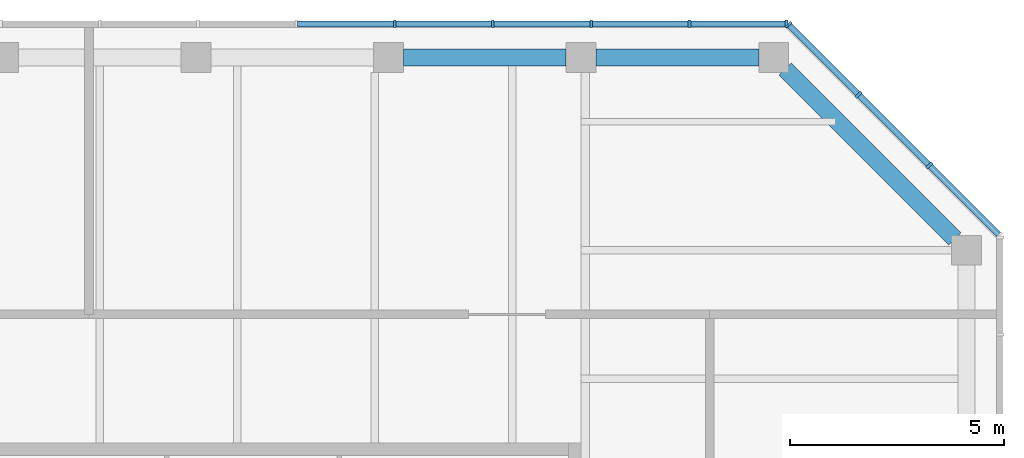
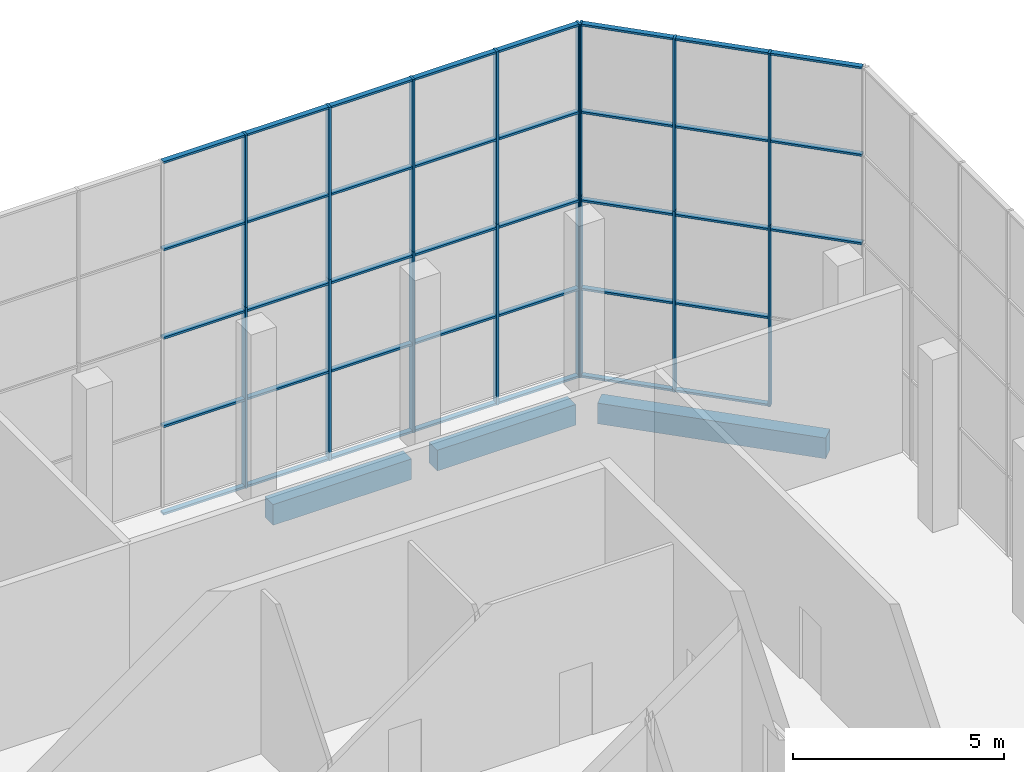
# One storey, part 9 of 19: 54 members, 3 beams, 2 elements without a shape of their own.
"""IFC4 building model written with IfcOpenShell, lengths in metres."""

import ifcopenshell
import ifcopenshell.guid

model = None  # the IFC model being written
_history = None  # IfcOwnerHistory: only IFC2X3 demands one
_inside = {}  # id of a spatial element -> (the spatial element, [elements in it])
_under = {}  # id of a project, library or spatial element -> (it, [spatial elements below it])
_declared = {}  # id of a project -> (the project, [libraries it declares])
_typed = {}  # id of a type object -> (the type object, [elements of that type])
_made_of = {}  # id of a material, layer set ... -> (it, [elements and type objects made of it])


def new_model(schema):
    """Start an empty IFC model of exactly this schema.

    Asked for "IFC4X3", IfcOpenShell would pick the latest addendum, in which some entities
    have other attributes; the version numbers below select the first issue.
    IFC2X3 requires an IfcOwnerHistory on every rooted entity: one is made here for all.
    """
    global model, _history
    if schema == "IFC4X3":
        model = ifcopenshell.file(schema_version=(4, 3, 0, 0))
    else:
        model = ifcopenshell.file(schema=schema)
    _inside.clear()
    _under.clear()
    _declared.clear()
    _typed.clear()
    _made_of.clear()
    _history = None
    if model.schema == "IFC2X3":
        org = make("IfcOrganization", Name="unknown")
        user = make(
            "IfcPersonAndOrganization",
            ThePerson=make("IfcPerson", FamilyName="unknown"),
            TheOrganization=org,
        )
        app = make(
            "IfcApplication",
            ApplicationDeveloper=org,
            Version="unknown",
            ApplicationFullName="unknown",
            ApplicationIdentifier="unknown",
        )
        _history = make(
            "IfcOwnerHistory",
            OwningUser=user,
            OwningApplication=app,
            ChangeAction="ADDED",
            CreationDate=0,
        )
    return model


def make(cls, **values):
    """One entity of the class cls with the attributes given. An attribute that is None is left unset."""
    return model.create_entity(
        cls, **{name: value for name, value in values.items() if value is not None}
    )


def rooted(cls, **values):
    """An entity with a GlobalId (a new one), such as an element, a storey or a relation."""
    return make(cls, GlobalId=ifcopenshell.guid.new(), OwnerHistory=_history, **values)


def si_unit(unit_type, name, prefix=None):
    """IfcSIUnit, for example si_unit("LENGTHUNIT", "METRE", prefix="MILLI")."""
    return make("IfcSIUnit", UnitType=unit_type, Prefix=prefix, Name=name)


def assignment(units):
    """IfcUnitAssignment: the units of a project."""
    return None if units is None else make("IfcUnitAssignment", Units=units)


def point(xyz):
    """IfcCartesianPoint."""
    return None if xyz is None else make("IfcCartesianPoint", Coordinates=xyz)


def direction(xyz):
    """IfcDirection."""
    return None if xyz is None else make("IfcDirection", DirectionRatios=xyz)


def frame(location, z_axis=None, x_axis=None):
    """IfcAxis2Placement3D, a coordinate frame: its origin and axes. An axis left out is left unset."""
    return make(
        "IfcAxis2Placement3D",
        Location=point(location),
        Axis=direction(z_axis),
        RefDirection=direction(x_axis),
    )


def frame_2d(location, x_axis=None):
    """IfcAxis2Placement2D, a coordinate frame in the plane: its origin and x axis."""
    return make(
        "IfcAxis2Placement2D", Location=point(location), RefDirection=direction(x_axis)
    )


def origin():
    """The frame at (0, 0, 0) with its axes left unset."""
    return frame((0.0, 0.0, 0.0))


def origin_2d():
    """The frame at (0, 0) in the plane with its x axis left unset."""
    return frame_2d((0.0, 0.0))


def place(relative_to, where):
    """IfcLocalPlacement: puts the frame where relative to a parent placement (None: the world)."""
    return make(
        "IfcLocalPlacement", PlacementRelTo=relative_to, RelativePlacement=where
    )


def context(
    kind, dimensions, precision=None, world=None, true_north=None, identifier=None
):
    """IfcGeometricRepresentationContext, for example the 3D "Model" context."""
    return make(
        "IfcGeometricRepresentationContext",
        ContextIdentifier=identifier,
        ContextType=kind,
        CoordinateSpaceDimension=dimensions,
        Precision=precision,
        WorldCoordinateSystem=world,
        TrueNorth=true_north,
    )


def subcontext(parent, identifier, kind, view, scale=None):
    """IfcGeometricRepresentationSubContext, for example "Body" below "Model"."""
    return make(
        "IfcGeometricRepresentationSubContext",
        ContextIdentifier=identifier,
        ContextType=kind,
        ParentContext=parent,
        TargetScale=scale,
        TargetView=view,
    )


def project(units=None, contexts=None):
    """IfcProject with its units and contexts."""
    return rooted(
        "IfcProject",
        Name="project",
        RepresentationContexts=contexts,
        UnitsInContext=assignment(units),
    )


def spatial(cls, under=None, at=None, **own):
    """A site, building, storey or space (cls), placed at a placement, below another one or the project."""
    s = rooted(cls, ObjectPlacement=at, **own)
    if under is not None:
        _under.setdefault(under.id(), (under, []))[1].append(s)
    return s


def profile(cls, at=None, kind="AREA", **sizes):
    """A parametric profile (cls). Its sizes go by their IFC names, for example OverallWidth=200.0."""
    return make(cls, ProfileType=kind, Position=at, **sizes)


def rectangle(**sizes):
    """IfcRectangleProfileDef."""
    return profile("IfcRectangleProfileDef", **sizes)


def extrude(swept, where, along, depth):
    """IfcExtrudedAreaSolid: the profile swept, set in the frame where, extruded along a direction by depth."""
    return make(
        "IfcExtrudedAreaSolid",
        SweptArea=swept,
        Position=where,
        ExtrudedDirection=direction(along),
        Depth=depth,
    )


def shape(context_of_items, identifier, shape_type, items):
    """IfcShapeRepresentation: the items that make up one representation, for example the "Body"."""
    return make(
        "IfcShapeRepresentation",
        ContextOfItems=context_of_items,
        RepresentationIdentifier=identifier,
        RepresentationType=shape_type,
        Items=items,
    )


def material(Name=None, Category=None):
    """IfcMaterial."""
    return make("IfcMaterial", Name=Name, Category=Category)


def constituent(of_material, Name=None, Category=None, fraction=None):
    """IfcMaterialConstituent: one of the materials an element consists of."""
    return make(
        "IfcMaterialConstituent",
        Name=Name,
        Material=of_material,
        Fraction=fraction,
        Category=Category,
    )


def constituent_set(constituents=None, Name=None):
    """IfcMaterialConstituentSet."""
    return make(
        "IfcMaterialConstituentSet", Name=Name, MaterialConstituents=constituents
    )


def material_profile(
    of_material, cross_section, Name=None, Category=None, Priority=None
):
    """IfcMaterialProfile: a cross section and its material."""
    return make(
        "IfcMaterialProfile",
        Name=Name,
        Material=of_material,
        Profile=cross_section,
        Priority=Priority,
        Category=Category,
    )


def profile_set(profiles, Name=None, composite=None):
    """IfcMaterialProfileSet."""
    return make(
        "IfcMaterialProfileSet",
        Name=Name,
        MaterialProfiles=profiles,
        CompositeProfile=composite,
    )


def made_of(thing, what):
    """Note that an element or type object is made of a material, layer set ...; save() writes the relation."""
    if what is not None:
        _made_of.setdefault(what.id(), (what, []))[1].append(thing)
    return thing


def type_object(cls, material=None, **own):
    """A type object (cls), such as IfcWallType, which elements share."""
    return made_of(rooted(cls, **own), material)


def element(
    cls,
    number,
    at=None,
    inside=None,
    cuts=None,
    type_object=None,
    material=None,
    context=None,
    identifier="Body",
    shape_type=None,
    held_by="IfcProductDefinitionShape",
    body=None,
    shapes=None,
    **own,
):
    """One element of the class cls, such as IfcWall. Its Tag is "e" and its number.

    at: its placement. inside: the storey or other place that contains it. cuts: it is an
    opening in that element (IfcRelVoidsElement). A single representation is given by context,
    identifier, shape_type and body (its items); several are given by shapes. held_by: the class
    of the entity that holds the representations. save() writes the other relations.
    """
    e = rooted(cls, Tag="e%d" % number, ObjectPlacement=at, **own)
    if body is not None:
        shapes = [shape(context, identifier, shape_type, body)]
    if shapes is not None:
        e.Representation = make(held_by, Representations=shapes)
    if inside is not None:
        _inside.setdefault(inside.id(), (inside, []))[1].append(e)
    if cuts is not None:
        rooted(
            "IfcRelVoidsElement", RelatingBuildingElement=cuts, RelatedOpeningElement=e
        )
    if type_object is not None:
        _typed.setdefault(type_object.id(), (type_object, []))[1].append(e)
    return made_of(e, material)


def aggregate(whole, parts):
    """IfcRelAggregates: a whole, such as a stair, and the parts it consists of."""
    return rooted("IfcRelAggregates", RelatingObject=whole, RelatedObjects=parts)


def save(model, path):
    """Write the relations noted so far, then the file.

    IfcRelAggregates (storeys below a building ...), IfcRelContainedInSpatialStructure (elements
    in a storey), IfcRelDefinesByType, IfcRelAssociatesMaterial and IfcRelDeclares: one each for
    every whole, place, type object, material and project.
    """
    for whole, parts in _under.values():
        aggregate(whole, parts)
    for where, things in _inside.values():
        rooted(
            "IfcRelContainedInSpatialStructure",
            RelatedElements=things,
            RelatingStructure=where,
        )
    for kind, things in _typed.values():
        rooted("IfcRelDefinesByType", RelatedObjects=things, RelatingType=kind)
    for what, things in _made_of.values():
        rooted("IfcRelAssociatesMaterial", RelatedObjects=things, RelatingMaterial=what)
    for by, libraries in _declared.values():
        rooted("IfcRelDeclares", RelatingContext=by, RelatedDefinitions=libraries)
    model.write(path)


model = new_model("IFC4")

# Units and contexts
model_context = context("Model", 3, precision=1e-05, world=origin(), true_north=direction((0.0, 1.0)))
body_context = subcontext(model_context, "Body", "Model", "MODEL_VIEW")
ifc_project = project(units=[si_unit("LENGTHUNIT", "METRE"), si_unit("AREAUNIT", "SQUARE_METRE"), si_unit("VOLUMEUNIT", "CUBIC_METRE"), si_unit("PLANEANGLEUNIT", "RADIAN"), si_unit("MASSUNIT", "GRAM", prefix="KILO")], contexts=[model_context])

# Site, building, storey
site_placement = place(None, origin())
site = spatial("IfcSite", under=ifc_project, at=site_placement, CompositionType="ELEMENT")
building_placement = place(site_placement, origin())
building = spatial("IfcBuilding", under=site, at=building_placement, Name="Quoin Convention Tower", CompositionType="ELEMENT")
storey_placement = place(building_placement, frame((0.0, 0.0, 263.699951171875)))
storey = spatial("IfcBuildingStorey", under=building, at=storey_placement, Name="L69", CompositionType="ELEMENT", Elevation=263.699951171875)

# Curtain wall, members
ifc_material_1 = material(Name="Aluminium", Category="aluminium")
ifc_constituent_1 = constituent(ifc_material_1, Name="Frame")
ifc_material_2 = material(Name="Insulated glass", Category="glass")
ifc_constituent_2 = constituent(ifc_material_2, Name="Glazing")
ifc_constituent_set = constituent_set(constituents=[ifc_constituent_1, ifc_constituent_2], Name="Aluminium")
curtain_wall_type = type_object("IfcCurtainWallType", Name="Lantern wall system", PredefinedType="NOTDEFINED", material=ifc_constituent_set)
curtain_wall_1_placement = place(storey_placement, origin())
curtain_wall_1 = element("IfcCurtainWall", 1, at=curtain_wall_1_placement, inside=storey, type_object=curtain_wall_type, Name="crn-LNW-76500_76500", PredefinedType="NOTDEFINED")
ifc_material_profile_1 = material_profile(ifc_material_1, rectangle(XDim=0.179931640625, YDim=0.06005859375, at=origin_2d()), Name="Lantern wall mullion 60x180")
ifc_profile_set_1 = profile_set([ifc_material_profile_1], Name="Aluminium")
member_type_1 = type_object("IfcMemberType", Name="Lantern wall mullion 60x180", PredefinedType="MULLION", material=ifc_profile_set_1)
member_1_placement = place(storey_placement, frame((75.6357421875, 78.4814453125, -0.25), z_axis=(0.0, 0.0, 1.0), x_axis=(-0.707106781187, -0.707106781187, 0.0)))
member_1 = element("IfcMember", 2, at=member_1_placement, type_object=member_type_1, Name="CW5 mullion 2", PredefinedType="MULLION", context=body_context, shape_type="SweptSolid", body=[
    extrude(rectangle(XDim=0.179931640625, YDim=0.06005859375, at=origin_2d()), origin(), (0.0, 0.0, 1.0), 5.25),
])
member_2_placement = place(storey_placement, frame((73.9814453125, 80.1357421875, -0.25), z_axis=(0.0, 0.0, 1.0), x_axis=(-0.707106781187, -0.707106781187, 0.0)))
member_2 = element("IfcMember", 3, at=member_2_placement, type_object=member_type_1, Name="CW5 mullion 3", PredefinedType="MULLION", context=body_context, shape_type="SweptSolid", body=[
    extrude(rectangle(XDim=0.179931640625, YDim=0.06005859375, at=origin_2d()), origin(), (0.0, 0.0, 1.0), 5.25),
])
member_3_placement = place(storey_placement, frame((72.348388671875, 81.768798828125, -0.25), z_axis=(0.0, 0.0, 1.0), x_axis=(-0.707106781187, -0.707106781187, 0.0)))
member_3 = element("IfcMember", 4, at=member_3_placement, type_object=member_type_1, Name="CW5 mullion 4", PredefinedType="MULLION", context=body_context, shape_type="SweptSolid", body=[
    extrude(rectangle(XDim=0.179931640625, YDim=0.06005859375, at=origin_2d()), origin(), (0.0, 0.0, 1.0), 5.25),
])
member_4_placement = place(storey_placement, frame((75.6357421875, 78.4814453125, 5.0), z_axis=(0.0, 0.0, 1.0), x_axis=(-0.707106781187, -0.707106781187, 0.0)))
member_4 = element("IfcMember", 5, at=member_4_placement, type_object=member_type_1, Name="CW5 mullion 2", PredefinedType="MULLION", context=body_context, shape_type="SweptSolid", body=[
    extrude(rectangle(XDim=0.179931640625, YDim=0.06005859375, at=origin_2d()), origin(), (0.0, 0.0, 1.0), 5.0),
])
member_5_placement = place(storey_placement, frame((73.9814453125, 80.1357421875, 5.0), z_axis=(0.0, 0.0, 1.0), x_axis=(-0.707106781187, -0.707106781187, 0.0)))
member_5 = element("IfcMember", 6, at=member_5_placement, type_object=member_type_1, Name="CW5 mullion 3", PredefinedType="MULLION", context=body_context, shape_type="SweptSolid", body=[
    extrude(rectangle(XDim=0.179931640625, YDim=0.06005859375, at=origin_2d()), origin(), (0.0, 0.0, 1.0), 5.0),
])
member_6_placement = place(storey_placement, frame((72.348388671875, 81.768798828125, 5.0), z_axis=(0.0, 0.0, 1.0), x_axis=(-0.707106781187, -0.707106781187, 0.0)))
member_6 = element("IfcMember", 7, at=member_6_placement, type_object=member_type_1, Name="CW5 mullion 4", PredefinedType="MULLION", context=body_context, shape_type="SweptSolid", body=[
    extrude(rectangle(XDim=0.179931640625, YDim=0.06005859375, at=origin_2d()), origin(), (0.0, 0.0, 1.0), 5.0),
])

curtain_wall_2_placement = place(storey_placement, origin())
curtain_wall_2 = element("IfcCurtainWall", 8, at=curtain_wall_2_placement, inside=storey, type_object=curtain_wall_type, Name="crn-LNW-72000_81000", PredefinedType="NOTDEFINED")
member_7_placement = place(storey_placement, frame((72.297119140625, 81.7900390625, -0.25), z_axis=(0.0, 0.0, 1.0), x_axis=(0.0, -1.0, 0.0)))
member_7 = element("IfcMember", 9, at=member_7_placement, type_object=member_type_1, Name="CW5 mullion 1", PredefinedType="MULLION", context=body_context, shape_type="SweptSolid", body=[
    extrude(rectangle(XDim=0.179931640625, YDim=0.06005859375, at=origin_2d()), origin(), (0.0, 0.0, 1.0), 5.25),
])
member_8_placement = place(storey_placement, frame((70.030517578125, 81.7900390625, -0.25), z_axis=(0.0, 0.0, 1.0), x_axis=(0.0, -1.0, 0.0)))
member_8 = element("IfcMember", 10, at=member_8_placement, type_object=member_type_1, Name="CW5 mullion 2", PredefinedType="MULLION", context=body_context, shape_type="SweptSolid", body=[
    extrude(rectangle(XDim=0.179931640625, YDim=0.06005859375, at=origin_2d()), origin(), (0.0, 0.0, 1.0), 5.25),
])
member_9_placement = place(storey_placement, frame((67.733642578125, 81.7900390625, -0.25), z_axis=(0.0, 0.0, 1.0), x_axis=(0.0, -1.0, 0.0)))
member_9 = element("IfcMember", 11, at=member_9_placement, type_object=member_type_1, Name="CW5 mullion 3", PredefinedType="MULLION", context=body_context, shape_type="SweptSolid", body=[
    extrude(rectangle(XDim=0.179931640625, YDim=0.06005859375, at=origin_2d()), origin(), (0.0, 0.0, 1.0), 5.25),
])
member_10_placement = place(storey_placement, frame((65.43701171875, 81.7900390625, -0.25), z_axis=(0.0, 0.0, 1.0), x_axis=(0.0, -1.0, 0.0)))
member_10 = element("IfcMember", 12, at=member_10_placement, type_object=member_type_1, Name="CW5 mullion 4", PredefinedType="MULLION", context=body_context, shape_type="SweptSolid", body=[
    extrude(rectangle(XDim=0.179931640625, YDim=0.06005859375, at=origin_2d()), origin(), (0.0, 0.0, 1.0), 5.25),
])
member_11_placement = place(storey_placement, frame((63.14013671875, 81.7900390625, -0.25), z_axis=(0.0, 0.0, 1.0), x_axis=(0.0, -1.0, 0.0)))
member_11 = element("IfcMember", 13, at=member_11_placement, type_object=member_type_1, Name="CW5 mullion 5", PredefinedType="MULLION", context=body_context, shape_type="SweptSolid", body=[
    extrude(rectangle(XDim=0.179931640625, YDim=0.06005859375, at=origin_2d()), origin(), (0.0, 0.0, 1.0), 5.25),
])
member_12_placement = place(storey_placement, frame((72.297119140625, 81.7900390625, 5.0), z_axis=(0.0, 0.0, 1.0), x_axis=(0.0, -1.0, 0.0)))
member_12 = element("IfcMember", 14, at=member_12_placement, type_object=member_type_1, Name="CW5 mullion 1", PredefinedType="MULLION", context=body_context, shape_type="SweptSolid", body=[
    extrude(rectangle(XDim=0.179931640625, YDim=0.06005859375, at=origin_2d()), origin(), (0.0, 0.0, 1.0), 5.0),
])
member_13_placement = place(storey_placement, frame((70.030517578125, 81.7900390625, 5.0), z_axis=(0.0, 0.0, 1.0), x_axis=(0.0, -1.0, 0.0)))
member_13 = element("IfcMember", 15, at=member_13_placement, type_object=member_type_1, Name="CW5 mullion 2", PredefinedType="MULLION", context=body_context, shape_type="SweptSolid", body=[
    extrude(rectangle(XDim=0.179931640625, YDim=0.06005859375, at=origin_2d()), origin(), (0.0, 0.0, 1.0), 5.0),
])
member_14_placement = place(storey_placement, frame((67.733642578125, 81.7900390625, 5.0), z_axis=(0.0, 0.0, 1.0), x_axis=(0.0, -1.0, 0.0)))
member_14 = element("IfcMember", 16, at=member_14_placement, type_object=member_type_1, Name="CW5 mullion 3", PredefinedType="MULLION", context=body_context, shape_type="SweptSolid", body=[
    extrude(rectangle(XDim=0.179931640625, YDim=0.06005859375, at=origin_2d()), origin(), (0.0, 0.0, 1.0), 5.0),
])
member_15_placement = place(storey_placement, frame((65.43701171875, 81.7900390625, 5.0), z_axis=(0.0, 0.0, 1.0), x_axis=(0.0, -1.0, 0.0)))
member_15 = element("IfcMember", 17, at=member_15_placement, type_object=member_type_1, Name="CW5 mullion 4", PredefinedType="MULLION", context=body_context, shape_type="SweptSolid", body=[
    extrude(rectangle(XDim=0.179931640625, YDim=0.06005859375, at=origin_2d()), origin(), (0.0, 0.0, 1.0), 5.0),
])
member_16_placement = place(storey_placement, frame((63.14013671875, 81.7900390625, 5.0), z_axis=(0.0, 0.0, 1.0), x_axis=(0.0, -1.0, 0.0)))
member_16 = element("IfcMember", 18, at=member_16_placement, type_object=member_type_1, Name="CW5 mullion 5", PredefinedType="MULLION", context=body_context, shape_type="SweptSolid", body=[
    extrude(rectangle(XDim=0.179931640625, YDim=0.06005859375, at=origin_2d()), origin(), (0.0, 0.0, 1.0), 5.0),
])

# Member
ifc_material_profile_2 = material_profile(ifc_material_1, rectangle(XDim=0.139892578125, YDim=0.06005859375, at=origin_2d()), Name="Lantern wall transom 60x140")
ifc_profile_set_2 = profile_set([ifc_material_profile_2], Name="Aluminium")
member_type_2 = type_object("IfcMemberType", Name="Lantern wall transom 60x140", PredefinedType="USERDEFINED", material=ifc_profile_set_2)
member_17_placement = place(storey_placement, frame((77.24755859375, 76.86962890625, 4.875), z_axis=(-0.707106781187, 0.707106781187, 0.0), x_axis=(-0.707106781187, -0.707106781187, 0.0)))
member_17 = element("IfcMember", 19, at=member_17_placement, type_object=member_type_2, Name="CW5 transom 1.3", ObjectType="TRANSOM", PredefinedType="USERDEFINED", context=body_context, shape_type="SweptSolid", body=[
    extrude(rectangle(XDim=0.139892578125, YDim=0.06005859375, at=origin_2d()), origin(), (0.0, 0.0, 1.0), 2.24951171875),
])

member_18_placement = place(storey_placement, frame((77.24755859375, 76.86962890625, 7.4375), z_axis=(-0.707106781187, 0.707106781187, 0.0), x_axis=(-0.707106781187, -0.707106781187, 0.0)))
member_18 = element("IfcMember", 20, at=member_18_placement, type_object=member_type_2, Name="CW5 transom 1.4", ObjectType="TRANSOM", PredefinedType="USERDEFINED", context=body_context, shape_type="SweptSolid", body=[
    extrude(rectangle(XDim=0.139892578125, YDim=0.06005859375, at=origin_2d()), origin(), (0.0, 0.0, 1.0), 2.24951171875),
])

member_19_placement = place(storey_placement, frame((77.24755859375, 76.86962890625, 9.969970703125), z_axis=(-0.707106781187, 0.707106781187, 0.0), x_axis=(-0.707106781187, -0.707106781187, 0.0)))
member_19 = element("IfcMember", 21, at=member_19_placement, type_object=member_type_2, Name="CW5 transom 1.5", ObjectType="TRANSOM", PredefinedType="USERDEFINED", context=body_context, shape_type="SweptSolid", body=[
    extrude(rectangle(XDim=0.139892578125, YDim=0.06005859375, at=origin_2d()), origin(), (0.0, 0.0, 1.0), 2.24951171875),
])

member_20_placement = place(storey_placement, frame((75.614501953125, 78.502685546875, -0.219970703125), z_axis=(-0.707106781187, 0.707106781187, 0.0), x_axis=(-0.707106781187, -0.707106781187, 0.0)))
member_20 = element("IfcMember", 22, at=member_20_placement, type_object=member_type_2, Name="CW5 transom 2.1", ObjectType="TRANSOM", PredefinedType="USERDEFINED", context=body_context, shape_type="SweptSolid", body=[
    extrude(rectangle(XDim=0.139892578125, YDim=0.06005859375, at=origin_2d()), origin(), (0.0, 0.0, 1.0), 2.279541015625),
])

member_21_placement = place(storey_placement, frame((75.614501953125, 78.502685546875, 2.3125), z_axis=(-0.707106781187, 0.707106781187, 0.0), x_axis=(-0.707106781187, -0.707106781187, 0.0)))
member_21 = element("IfcMember", 23, at=member_21_placement, type_object=member_type_2, Name="CW5 transom 2.2", ObjectType="TRANSOM", PredefinedType="USERDEFINED", context=body_context, shape_type="SweptSolid", body=[
    extrude(rectangle(XDim=0.139892578125, YDim=0.06005859375, at=origin_2d()), origin(), (0.0, 0.0, 1.0), 2.279541015625),
])

member_22_placement = place(storey_placement, frame((75.614501953125, 78.502685546875, 4.875), z_axis=(-0.707106781187, 0.707106781187, 0.0), x_axis=(-0.707106781187, -0.707106781187, 0.0)))
member_22 = element("IfcMember", 24, at=member_22_placement, type_object=member_type_2, Name="CW5 transom 2.3", ObjectType="TRANSOM", PredefinedType="USERDEFINED", context=body_context, shape_type="SweptSolid", body=[
    extrude(rectangle(XDim=0.139892578125, YDim=0.06005859375, at=origin_2d()), origin(), (0.0, 0.0, 1.0), 2.279541015625),
])

member_23_placement = place(storey_placement, frame((75.614501953125, 78.502685546875, 7.4375), z_axis=(-0.707106781187, 0.707106781187, 0.0), x_axis=(-0.707106781187, -0.707106781187, 0.0)))
member_23 = element("IfcMember", 25, at=member_23_placement, type_object=member_type_2, Name="CW5 transom 2.4", ObjectType="TRANSOM", PredefinedType="USERDEFINED", context=body_context, shape_type="SweptSolid", body=[
    extrude(rectangle(XDim=0.139892578125, YDim=0.06005859375, at=origin_2d()), origin(), (0.0, 0.0, 1.0), 2.279541015625),
])

member_24_placement = place(storey_placement, frame((75.614501953125, 78.502685546875, 9.969970703125), z_axis=(-0.707106781187, 0.707106781187, 0.0), x_axis=(-0.707106781187, -0.707106781187, 0.0)))
member_24 = element("IfcMember", 26, at=member_24_placement, type_object=member_type_2, Name="CW5 transom 2.5", ObjectType="TRANSOM", PredefinedType="USERDEFINED", context=body_context, shape_type="SweptSolid", body=[
    extrude(rectangle(XDim=0.139892578125, YDim=0.06005859375, at=origin_2d()), origin(), (0.0, 0.0, 1.0), 2.279541015625),
])

member_25_placement = place(storey_placement, frame((73.960205078125, 80.156982421875, -0.219970703125), z_axis=(-0.707106781187, 0.707106781187, 0.0), x_axis=(-0.707106781187, -0.707106781187, 0.0)))
member_25 = element("IfcMember", 27, at=member_25_placement, type_object=member_type_2, Name="CW5 transom 3.1", ObjectType="TRANSOM", PredefinedType="USERDEFINED", context=body_context, shape_type="SweptSolid", body=[
    extrude(rectangle(XDim=0.139892578125, YDim=0.06005859375, at=origin_2d()), origin(), (0.0, 0.0, 1.0), 2.24951171875),
])

member_26_placement = place(storey_placement, frame((73.960205078125, 80.156982421875, 2.3125), z_axis=(-0.707106781187, 0.707106781187, 0.0), x_axis=(-0.707106781187, -0.707106781187, 0.0)))
member_26 = element("IfcMember", 28, at=member_26_placement, type_object=member_type_2, Name="CW5 transom 3.2", ObjectType="TRANSOM", PredefinedType="USERDEFINED", context=body_context, shape_type="SweptSolid", body=[
    extrude(rectangle(XDim=0.139892578125, YDim=0.06005859375, at=origin_2d()), origin(), (0.0, 0.0, 1.0), 2.24951171875),
])

member_27_placement = place(storey_placement, frame((73.960205078125, 80.156982421875, 4.875), z_axis=(-0.707106781187, 0.707106781187, 0.0), x_axis=(-0.707106781187, -0.707106781187, 0.0)))
member_27 = element("IfcMember", 29, at=member_27_placement, type_object=member_type_2, Name="CW5 transom 3.3", ObjectType="TRANSOM", PredefinedType="USERDEFINED", context=body_context, shape_type="SweptSolid", body=[
    extrude(rectangle(XDim=0.139892578125, YDim=0.06005859375, at=origin_2d()), origin(), (0.0, 0.0, 1.0), 2.24951171875),
])

member_28_placement = place(storey_placement, frame((73.960205078125, 80.156982421875, 7.4375), z_axis=(-0.707106781187, 0.707106781187, 0.0), x_axis=(-0.707106781187, -0.707106781187, 0.0)))
member_28 = element("IfcMember", 30, at=member_28_placement, type_object=member_type_2, Name="CW5 transom 3.4", ObjectType="TRANSOM", PredefinedType="USERDEFINED", context=body_context, shape_type="SweptSolid", body=[
    extrude(rectangle(XDim=0.139892578125, YDim=0.06005859375, at=origin_2d()), origin(), (0.0, 0.0, 1.0), 2.24951171875),
])

member_29_placement = place(storey_placement, frame((73.960205078125, 80.156982421875, 9.969970703125), z_axis=(-0.707106781187, 0.707106781187, 0.0), x_axis=(-0.707106781187, -0.707106781187, 0.0)))
member_29 = element("IfcMember", 31, at=member_29_placement, type_object=member_type_2, Name="CW5 transom 3.5", ObjectType="TRANSOM", PredefinedType="USERDEFINED", context=body_context, shape_type="SweptSolid", body=[
    extrude(rectangle(XDim=0.139892578125, YDim=0.06005859375, at=origin_2d()), origin(), (0.0, 0.0, 1.0), 2.24951171875),
])

aggregate(curtain_wall_1, [member_1, member_2, member_3, member_17, member_18, member_19, member_20, member_21, member_22, member_23, member_24, member_25, member_26, member_27, member_28, member_29, member_4, member_5, member_6])

member_30_placement = place(storey_placement, frame((72.26708984375, 81.7900390625, -0.219970703125), z_axis=(-1.0, 0.0, 0.0), x_axis=(0.0, -1.0, 0.0)))
member_30 = element("IfcMember", 32, at=member_30_placement, type_object=member_type_2, Name="CW5 transom 1.1", ObjectType="TRANSOM", PredefinedType="USERDEFINED", context=body_context, shape_type="SweptSolid", body=[
    extrude(rectangle(XDim=0.139892578125, YDim=0.06005859375, at=origin_2d()), origin(), (0.0, 0.0, 1.0), 2.20654296875),
])

member_31_placement = place(storey_placement, frame((72.26708984375, 81.7900390625, 2.3125), z_axis=(-1.0, 0.0, 0.0), x_axis=(0.0, -1.0, 0.0)))
member_31 = element("IfcMember", 33, at=member_31_placement, type_object=member_type_2, Name="CW5 transom 1.2", ObjectType="TRANSOM", PredefinedType="USERDEFINED", context=body_context, shape_type="SweptSolid", body=[
    extrude(rectangle(XDim=0.139892578125, YDim=0.06005859375, at=origin_2d()), origin(), (0.0, 0.0, 1.0), 2.20654296875),
])

member_32_placement = place(storey_placement, frame((72.26708984375, 81.7900390625, 4.875), z_axis=(-1.0, 0.0, 0.0), x_axis=(0.0, -1.0, 0.0)))
member_32 = element("IfcMember", 34, at=member_32_placement, type_object=member_type_2, Name="CW5 transom 1.3", ObjectType="TRANSOM", PredefinedType="USERDEFINED", context=body_context, shape_type="SweptSolid", body=[
    extrude(rectangle(XDim=0.139892578125, YDim=0.06005859375, at=origin_2d()), origin(), (0.0, 0.0, 1.0), 2.20654296875),
])

member_33_placement = place(storey_placement, frame((72.26708984375, 81.7900390625, 7.4375), z_axis=(-1.0, 0.0, 0.0), x_axis=(0.0, -1.0, 0.0)))
member_33 = element("IfcMember", 35, at=member_33_placement, type_object=member_type_2, Name="CW5 transom 1.4", ObjectType="TRANSOM", PredefinedType="USERDEFINED", context=body_context, shape_type="SweptSolid", body=[
    extrude(rectangle(XDim=0.139892578125, YDim=0.06005859375, at=origin_2d()), origin(), (0.0, 0.0, 1.0), 2.20654296875),
])

member_34_placement = place(storey_placement, frame((72.26708984375, 81.7900390625, 9.969970703125), z_axis=(-1.0, 0.0, 0.0), x_axis=(0.0, -1.0, 0.0)))
member_34 = element("IfcMember", 36, at=member_34_placement, type_object=member_type_2, Name="CW5 transom 1.5", ObjectType="TRANSOM", PredefinedType="USERDEFINED", context=body_context, shape_type="SweptSolid", body=[
    extrude(rectangle(XDim=0.139892578125, YDim=0.06005859375, at=origin_2d()), origin(), (0.0, 0.0, 1.0), 2.20654296875),
])

member_35_placement = place(storey_placement, frame((70.00048828125, 81.7900390625, -0.219970703125), z_axis=(-1.0, 0.0, 0.0), x_axis=(0.0, -1.0, 0.0)))
member_35 = element("IfcMember", 37, at=member_35_placement, type_object=member_type_2, Name="CW5 transom 2.1", ObjectType="TRANSOM", PredefinedType="USERDEFINED", context=body_context, shape_type="SweptSolid", body=[
    extrude(rectangle(XDim=0.139892578125, YDim=0.06005859375, at=origin_2d()), origin(), (0.0, 0.0, 1.0), 2.23681640625),
])

member_36_placement = place(storey_placement, frame((70.00048828125, 81.7900390625, 2.3125), z_axis=(-1.0, 0.0, 0.0), x_axis=(0.0, -1.0, 0.0)))
member_36 = element("IfcMember", 38, at=member_36_placement, type_object=member_type_2, Name="CW5 transom 2.2", ObjectType="TRANSOM", PredefinedType="USERDEFINED", context=body_context, shape_type="SweptSolid", body=[
    extrude(rectangle(XDim=0.139892578125, YDim=0.06005859375, at=origin_2d()), origin(), (0.0, 0.0, 1.0), 2.23681640625),
])

member_37_placement = place(storey_placement, frame((70.00048828125, 81.7900390625, 4.875), z_axis=(-1.0, 0.0, 0.0), x_axis=(0.0, -1.0, 0.0)))
member_37 = element("IfcMember", 39, at=member_37_placement, type_object=member_type_2, Name="CW5 transom 2.3", ObjectType="TRANSOM", PredefinedType="USERDEFINED", context=body_context, shape_type="SweptSolid", body=[
    extrude(rectangle(XDim=0.139892578125, YDim=0.06005859375, at=origin_2d()), origin(), (0.0, 0.0, 1.0), 2.23681640625),
])

member_38_placement = place(storey_placement, frame((70.00048828125, 81.7900390625, 7.4375), z_axis=(-1.0, 0.0, 0.0), x_axis=(0.0, -1.0, 0.0)))
member_38 = element("IfcMember", 40, at=member_38_placement, type_object=member_type_2, Name="CW5 transom 2.4", ObjectType="TRANSOM", PredefinedType="USERDEFINED", context=body_context, shape_type="SweptSolid", body=[
    extrude(rectangle(XDim=0.139892578125, YDim=0.06005859375, at=origin_2d()), origin(), (0.0, 0.0, 1.0), 2.23681640625),
])

member_39_placement = place(storey_placement, frame((70.00048828125, 81.7900390625, 9.969970703125), z_axis=(-1.0, 0.0, 0.0), x_axis=(0.0, -1.0, 0.0)))
member_39 = element("IfcMember", 41, at=member_39_placement, type_object=member_type_2, Name="CW5 transom 2.5", ObjectType="TRANSOM", PredefinedType="USERDEFINED", context=body_context, shape_type="SweptSolid", body=[
    extrude(rectangle(XDim=0.139892578125, YDim=0.06005859375, at=origin_2d()), origin(), (0.0, 0.0, 1.0), 2.23681640625),
])

member_40_placement = place(storey_placement, frame((67.70361328125, 81.7900390625, -0.219970703125), z_axis=(-1.0, 0.0, 0.0), x_axis=(0.0, -1.0, 0.0)))
member_40 = element("IfcMember", 42, at=member_40_placement, type_object=member_type_2, Name="CW5 transom 3.1", ObjectType="TRANSOM", PredefinedType="USERDEFINED", context=body_context, shape_type="SweptSolid", body=[
    extrude(rectangle(XDim=0.139892578125, YDim=0.06005859375, at=origin_2d()), origin(), (0.0, 0.0, 1.0), 2.236572265625),
])

member_41_placement = place(storey_placement, frame((67.70361328125, 81.7900390625, 2.3125), z_axis=(-1.0, 0.0, 0.0), x_axis=(0.0, -1.0, 0.0)))
member_41 = element("IfcMember", 43, at=member_41_placement, type_object=member_type_2, Name="CW5 transom 3.2", ObjectType="TRANSOM", PredefinedType="USERDEFINED", context=body_context, shape_type="SweptSolid", body=[
    extrude(rectangle(XDim=0.139892578125, YDim=0.06005859375, at=origin_2d()), origin(), (0.0, 0.0, 1.0), 2.236572265625),
])

member_42_placement = place(storey_placement, frame((67.70361328125, 81.7900390625, 4.875), z_axis=(-1.0, 0.0, 0.0), x_axis=(0.0, -1.0, 0.0)))
member_42 = element("IfcMember", 44, at=member_42_placement, type_object=member_type_2, Name="CW5 transom 3.3", ObjectType="TRANSOM", PredefinedType="USERDEFINED", context=body_context, shape_type="SweptSolid", body=[
    extrude(rectangle(XDim=0.139892578125, YDim=0.06005859375, at=origin_2d()), origin(), (0.0, 0.0, 1.0), 2.236572265625),
])

member_43_placement = place(storey_placement, frame((67.70361328125, 81.7900390625, 7.4375), z_axis=(-1.0, 0.0, 0.0), x_axis=(0.0, -1.0, 0.0)))
member_43 = element("IfcMember", 45, at=member_43_placement, type_object=member_type_2, Name="CW5 transom 3.4", ObjectType="TRANSOM", PredefinedType="USERDEFINED", context=body_context, shape_type="SweptSolid", body=[
    extrude(rectangle(XDim=0.139892578125, YDim=0.06005859375, at=origin_2d()), origin(), (0.0, 0.0, 1.0), 2.236572265625),
])

member_44_placement = place(storey_placement, frame((67.70361328125, 81.7900390625, 9.969970703125), z_axis=(-1.0, 0.0, 0.0), x_axis=(0.0, -1.0, 0.0)))
member_44 = element("IfcMember", 46, at=member_44_placement, type_object=member_type_2, Name="CW5 transom 3.5", ObjectType="TRANSOM", PredefinedType="USERDEFINED", context=body_context, shape_type="SweptSolid", body=[
    extrude(rectangle(XDim=0.139892578125, YDim=0.06005859375, at=origin_2d()), origin(), (0.0, 0.0, 1.0), 2.236572265625),
])

member_45_placement = place(storey_placement, frame((65.406982421875, 81.7900390625, -0.219970703125), z_axis=(-1.0, 0.0, 0.0), x_axis=(0.0, -1.0, 0.0)))
member_45 = element("IfcMember", 47, at=member_45_placement, type_object=member_type_2, Name="CW5 transom 4.1", ObjectType="TRANSOM", PredefinedType="USERDEFINED", context=body_context, shape_type="SweptSolid", body=[
    extrude(rectangle(XDim=0.139892578125, YDim=0.06005859375, at=origin_2d()), origin(), (0.0, 0.0, 1.0), 2.23681640625),
])

member_46_placement = place(storey_placement, frame((65.406982421875, 81.7900390625, 2.3125), z_axis=(-1.0, 0.0, 0.0), x_axis=(0.0, -1.0, 0.0)))
member_46 = element("IfcMember", 48, at=member_46_placement, type_object=member_type_2, Name="CW5 transom 4.2", ObjectType="TRANSOM", PredefinedType="USERDEFINED", context=body_context, shape_type="SweptSolid", body=[
    extrude(rectangle(XDim=0.139892578125, YDim=0.06005859375, at=origin_2d()), origin(), (0.0, 0.0, 1.0), 2.23681640625),
])

member_47_placement = place(storey_placement, frame((65.406982421875, 81.7900390625, 4.875), z_axis=(-1.0, 0.0, 0.0), x_axis=(0.0, -1.0, 0.0)))
member_47 = element("IfcMember", 49, at=member_47_placement, type_object=member_type_2, Name="CW5 transom 4.3", ObjectType="TRANSOM", PredefinedType="USERDEFINED", context=body_context, shape_type="SweptSolid", body=[
    extrude(rectangle(XDim=0.139892578125, YDim=0.06005859375, at=origin_2d()), origin(), (0.0, 0.0, 1.0), 2.23681640625),
])

member_48_placement = place(storey_placement, frame((65.406982421875, 81.7900390625, 7.4375), z_axis=(-1.0, 0.0, 0.0), x_axis=(0.0, -1.0, 0.0)))
member_48 = element("IfcMember", 50, at=member_48_placement, type_object=member_type_2, Name="CW5 transom 4.4", ObjectType="TRANSOM", PredefinedType="USERDEFINED", context=body_context, shape_type="SweptSolid", body=[
    extrude(rectangle(XDim=0.139892578125, YDim=0.06005859375, at=origin_2d()), origin(), (0.0, 0.0, 1.0), 2.23681640625),
])

member_49_placement = place(storey_placement, frame((65.406982421875, 81.7900390625, 9.969970703125), z_axis=(-1.0, 0.0, 0.0), x_axis=(0.0, -1.0, 0.0)))
member_49 = element("IfcMember", 51, at=member_49_placement, type_object=member_type_2, Name="CW5 transom 4.5", ObjectType="TRANSOM", PredefinedType="USERDEFINED", context=body_context, shape_type="SweptSolid", body=[
    extrude(rectangle(XDim=0.139892578125, YDim=0.06005859375, at=origin_2d()), origin(), (0.0, 0.0, 1.0), 2.23681640625),
])

member_50_placement = place(storey_placement, frame((63.110107421875, 81.7900390625, -0.219970703125), z_axis=(-1.0, 0.0, 0.0), x_axis=(0.0, -1.0, 0.0)))
member_50 = element("IfcMember", 52, at=member_50_placement, type_object=member_type_2, Name="CW5 transom 5.1", ObjectType="TRANSOM", PredefinedType="USERDEFINED", context=body_context, shape_type="SweptSolid", body=[
    extrude(rectangle(XDim=0.139892578125, YDim=0.06005859375, at=origin_2d()), origin(), (0.0, 0.0, 1.0), 2.236572265625),
])

member_51_placement = place(storey_placement, frame((63.110107421875, 81.7900390625, 2.3125), z_axis=(-1.0, 0.0, 0.0), x_axis=(0.0, -1.0, 0.0)))
member_51 = element("IfcMember", 53, at=member_51_placement, type_object=member_type_2, Name="CW5 transom 5.2", ObjectType="TRANSOM", PredefinedType="USERDEFINED", context=body_context, shape_type="SweptSolid", body=[
    extrude(rectangle(XDim=0.139892578125, YDim=0.06005859375, at=origin_2d()), origin(), (0.0, 0.0, 1.0), 2.236572265625),
])

member_52_placement = place(storey_placement, frame((63.110107421875, 81.7900390625, 4.875), z_axis=(-1.0, 0.0, 0.0), x_axis=(0.0, -1.0, 0.0)))
member_52 = element("IfcMember", 54, at=member_52_placement, type_object=member_type_2, Name="CW5 transom 5.3", ObjectType="TRANSOM", PredefinedType="USERDEFINED", context=body_context, shape_type="SweptSolid", body=[
    extrude(rectangle(XDim=0.139892578125, YDim=0.06005859375, at=origin_2d()), origin(), (0.0, 0.0, 1.0), 2.236572265625),
])

member_53_placement = place(storey_placement, frame((63.110107421875, 81.7900390625, 7.4375), z_axis=(-1.0, 0.0, 0.0), x_axis=(0.0, -1.0, 0.0)))
member_53 = element("IfcMember", 55, at=member_53_placement, type_object=member_type_2, Name="CW5 transom 5.4", ObjectType="TRANSOM", PredefinedType="USERDEFINED", context=body_context, shape_type="SweptSolid", body=[
    extrude(rectangle(XDim=0.139892578125, YDim=0.06005859375, at=origin_2d()), origin(), (0.0, 0.0, 1.0), 2.236572265625),
])

member_54_placement = place(storey_placement, frame((63.110107421875, 81.7900390625, 9.969970703125), z_axis=(-1.0, 0.0, 0.0), x_axis=(0.0, -1.0, 0.0)))
member_54 = element("IfcMember", 56, at=member_54_placement, type_object=member_type_2, Name="CW5 transom 5.5", ObjectType="TRANSOM", PredefinedType="USERDEFINED", context=body_context, shape_type="SweptSolid", body=[
    extrude(rectangle(XDim=0.139892578125, YDim=0.06005859375, at=origin_2d()), origin(), (0.0, 0.0, 1.0), 2.236572265625),
])

aggregate(curtain_wall_2, [member_7, member_8, member_9, member_10, member_11, member_30, member_31, member_32, member_33, member_34, member_35, member_36, member_37, member_38, member_39, member_40, member_41, member_42, member_43, member_44, member_45, member_46, member_47, member_48, member_49, member_50, member_51, member_52, member_53, member_54, member_12, member_13, member_14, member_15, member_16])

# Beams
ifc_material_3 = material(Name="Concrete C40", Category="concrete")
ifc_material_profile_3 = material_profile(ifc_material_3, rectangle(XDim=0.39990234375, YDim=0.60009765625, at=origin_2d()), Name="RC 400x600")
ifc_profile_set_3 = profile_set([ifc_material_profile_3], Name="Concrete C40")
beam_type = type_object("IfcBeamType", Name="RC 400x600 C40", PredefinedType="SPANDREL", material=ifc_profile_set_3)
beam_placement = place(storey_placement, frame((76.23486328125, 76.76513671875, -0.550048828125), z_axis=(-0.707106781187, 0.707106781187, 0.0), x_axis=(-0.707106781187, -0.707106781187, 0.0)))
element("IfcBeam", 57, at=beam_placement, inside=storey, type_object=beam_type, Name="spd-L69-76500_76500-72000_81000", PredefinedType="SPANDREL", context=body_context, shape_type="SweptSolid", body=[
    extrude(rectangle(XDim=0.39990234375, YDim=0.60009765625, at=origin_2d()), origin(), (0.0, 0.0, 1.0), 5.614013671875),
])
for number, where, z_axis, x_axis, name in (
    (58, (71.64990234375, 81.0, -0.550048828125), (-1.0, 0.0, 0.0), (0.0, -1.0, 0.0), "spd-L69-72000_81000-67500_81000"),
    (59, (67.14990234375, 81.0, -0.550048828125), (-1.0, 0.0, 0.0), (0.0, -1.0, 0.0), "spd-L69-67500_81000-63000_81000"),
):
    element("IfcBeam", number, at=place(storey_placement, frame(where, z_axis=z_axis, x_axis=x_axis)), inside=storey, type_object=beam_type, Name=name, PredefinedType="SPANDREL", context=body_context, shape_type="SweptSolid", body=[
        extrude(rectangle(XDim=0.39990234375, YDim=0.60009765625, at=origin_2d()), origin(), (0.0, 0.0, 1.0), 3.7998046875),
    ])

save(model, "model.ifc")
